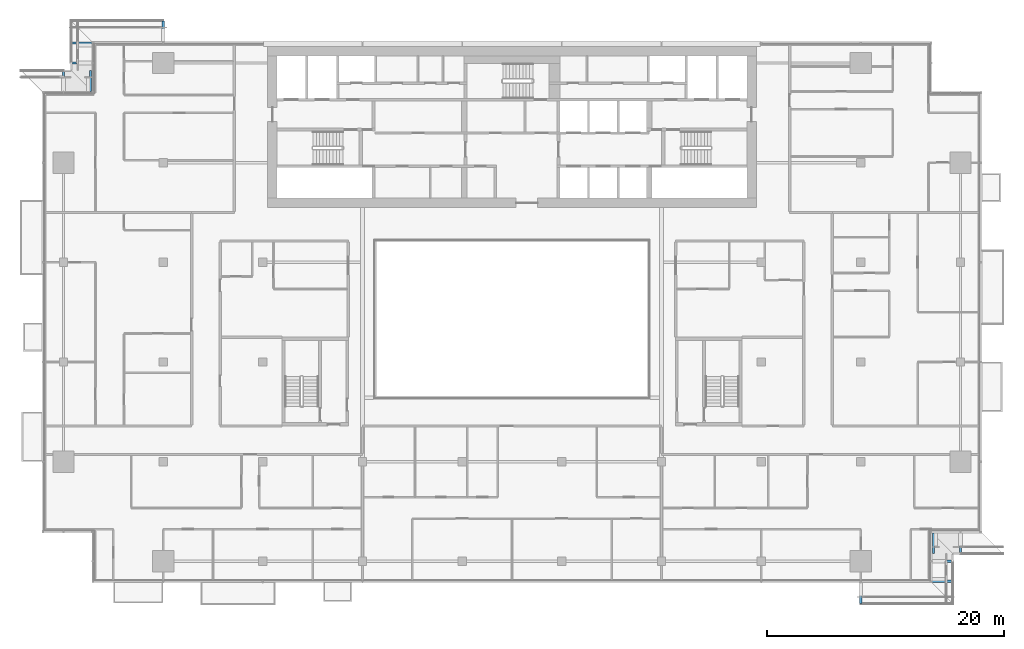
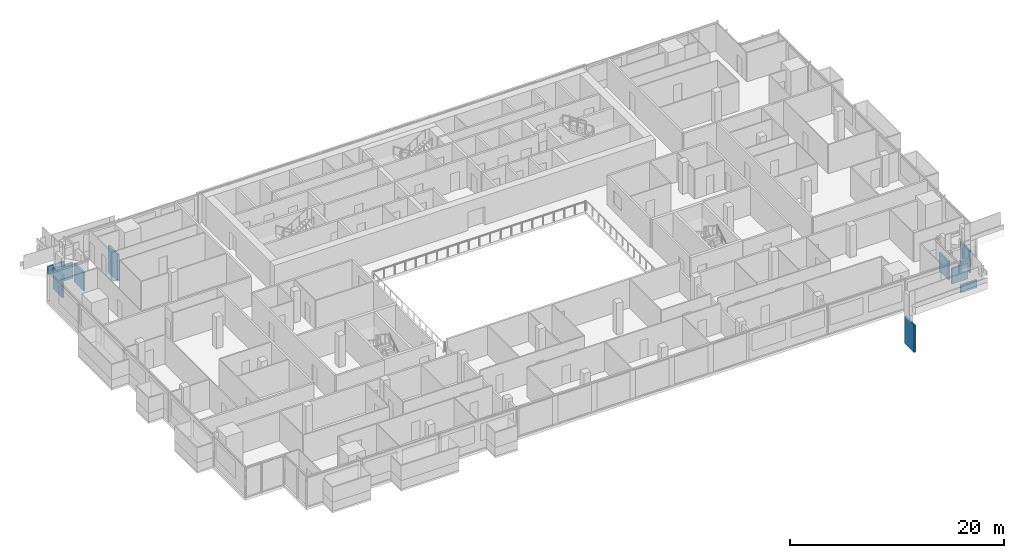
# One storey, part 25 of 30: 10 discrete accessories.
"""IFC4 building model written with IfcOpenShell, lengths in metres."""

from ifc_helpers import new_model, si_unit, direction, frame, origin, origin_2d, place, context, subcontext, project, spatial, rectangle, extrude, element, save


model = new_model("IFC4")

# Units and contexts
model_context = context("Model", 3, precision=1e-05, world=origin(), true_north=direction((0.0, 1.0)))
body_context = subcontext(model_context, "Body", "Model", "MODEL_VIEW")
ifc_project = project(units=[si_unit("LENGTHUNIT", "METRE"), si_unit("AREAUNIT", "SQUARE_METRE"), si_unit("VOLUMEUNIT", "CUBIC_METRE"), si_unit("PLANEANGLEUNIT", "RADIAN"), si_unit("MASSUNIT", "GRAM", prefix="KILO")], contexts=[model_context])

# Site, building, storey
site_placement = place(None, origin())
site = spatial("IfcSite", under=ifc_project, at=site_placement, CompositionType="ELEMENT")
building_placement = place(site_placement, origin())
building = spatial("IfcBuilding", under=site, at=building_placement, Name="Saffron Gate Tower", CompositionType="ELEMENT")
storey_placement = place(building_placement, frame((0.0, 0.0, 158.25)))
storey = spatial("IfcBuildingStorey", under=building, at=storey_placement, Name="L38", CompositionType="ELEMENT", Elevation=158.25)

# Discrete accessories
discrete_accessory_1_placement = place(storey_placement, frame((117.0, 29.125, -3.8798828125), z_axis=(0.0, 0.0, 1.0), x_axis=(1.0, 0.0, 0.0)))
element("IfcDiscreteAccessory", 1, at=discrete_accessory_1_placement, inside=storey, Name="LEDGE rib", PredefinedType="BRACKET", context=body_context, shape_type="SweptSolid", body=[
    extrude(rectangle(XDim=0.199951171875, YDim=1.75, at=origin_2d()), origin(), (0.0, 0.0, 1.0), 3.106201171875),
])
discrete_accessory_2_placement = place(storey_placement, frame((123.875, 30.1201171875, -0.280029296875), z_axis=(0.0, 0.0, 1.0), x_axis=(0.0, 1.0, 0.0)))
element("IfcDiscreteAccessory", 2, at=discrete_accessory_2_placement, inside=storey, Name="LEDGE rib", PredefinedType="BRACKET", context=body_context, shape_type="SweptSolid", body=[
    extrude(rectangle(XDim=0.199951171875, YDim=1.75, at=origin_2d()), origin(), (0.0, 0.0, 1.0), 0.87939453125),
])
discrete_accessory_3_placement = place(storey_placement, frame((123.875, 31.800048828125, -0.280029296875), z_axis=(0.0, 0.0, 1.0), x_axis=(0.0, 1.0, 0.0)))
element("IfcDiscreteAccessory", 3, at=discrete_accessory_3_placement, inside=storey, Name="LEDGE rib", PredefinedType="BRACKET", context=body_context, shape_type="SweptSolid", body=[
    extrude(rectangle(XDim=0.199951171875, YDim=1.75, at=origin_2d()), origin(), (0.0, 0.0, 1.0), 1.78857421875),
])
discrete_accessory_4_placement = place(storey_placement, frame((123.1201171875, 33.324951171875, -0.27978515625), z_axis=(0.0, 0.0, 1.0), x_axis=(1.0, 0.0, 0.0)))
element("IfcDiscreteAccessory", 4, at=discrete_accessory_4_placement, inside=storey, Name="LEDGE rib", PredefinedType="BRACKET", context=body_context, shape_type="SweptSolid", body=[
    extrude(rectangle(XDim=0.199951171875, YDim=1.75, at=origin_2d()), origin(), (0.0, 0.0, 1.0), 2.114990234375),
])
discrete_accessory_5_placement = place(storey_placement, frame((125.39990234375, 33.324951171875, -0.27978515625), z_axis=(0.0, 0.0, 1.0), x_axis=(1.0, 0.0, 0.0)))
element("IfcDiscreteAccessory", 5, at=discrete_accessory_5_placement, inside=storey, Name="LEDGE rib", PredefinedType="BRACKET", context=body_context, shape_type="SweptSolid", body=[
    extrude(rectangle(XDim=0.199951171875, YDim=1.75, at=origin_2d()), origin(), (0.0, 0.0, 1.0), 2.527099609375),
])
discrete_accessory_6_placement = place(storey_placement, frame((58.199951171875, 76.47509765625, -3.8798828125), z_axis=(0.0, 0.0, 1.0), x_axis=(-1.0, 0.0, 0.0)))
element("IfcDiscreteAccessory", 6, at=discrete_accessory_6_placement, inside=storey, Name="LEDGE rib", PredefinedType="BRACKET", context=body_context, shape_type="SweptSolid", body=[
    extrude(rectangle(XDim=0.199951171875, YDim=1.75, at=origin_2d()), origin(), (0.0, 0.0, 1.0), 3.106201171875),
])
discrete_accessory_7_placement = place(storey_placement, frame((51.324951171875, 75.47998046875, -0.280029296875), z_axis=(0.0, 0.0, 1.0), x_axis=(0.0, -1.0, 0.0)))
element("IfcDiscreteAccessory", 7, at=discrete_accessory_7_placement, inside=storey, Name="LEDGE rib", PredefinedType="BRACKET", context=body_context, shape_type="SweptSolid", body=[
    extrude(rectangle(XDim=0.199951171875, YDim=1.75, at=origin_2d()), origin(), (0.0, 0.0, 1.0), 0.87939453125),
])
discrete_accessory_8_placement = place(storey_placement, frame((51.324951171875, 73.800048828125, -0.280029296875), z_axis=(0.0, 0.0, 1.0), x_axis=(0.0, -1.0, 0.0)))
element("IfcDiscreteAccessory", 8, at=discrete_accessory_8_placement, inside=storey, Name="LEDGE rib", PredefinedType="BRACKET", context=body_context, shape_type="SweptSolid", body=[
    extrude(rectangle(XDim=0.199951171875, YDim=1.75, at=origin_2d()), origin(), (0.0, 0.0, 1.0), 1.78857421875),
])
discrete_accessory_9_placement = place(storey_placement, frame((52.080078125, 72.27490234375, -0.27978515625), z_axis=(0.0, 0.0, 1.0), x_axis=(-1.0, 0.0, 0.0)))
element("IfcDiscreteAccessory", 9, at=discrete_accessory_9_placement, inside=storey, Name="LEDGE rib", PredefinedType="BRACKET", context=body_context, shape_type="SweptSolid", body=[
    extrude(rectangle(XDim=0.199951171875, YDim=1.75, at=origin_2d()), origin(), (0.0, 0.0, 1.0), 2.114990234375),
])
discrete_accessory_10_placement = place(storey_placement, frame((49.800048828125, 72.27490234375, -0.27978515625), z_axis=(0.0, 0.0, 1.0), x_axis=(-1.0, 0.0, 0.0)))
element("IfcDiscreteAccessory", 10, at=discrete_accessory_10_placement, inside=storey, Name="LEDGE rib", PredefinedType="BRACKET", context=body_context, shape_type="SweptSolid", body=[
    extrude(rectangle(XDim=0.199951171875, YDim=1.75, at=origin_2d()), origin(), (0.0, 0.0, 1.0), 2.527099609375),
])

save(model, "model.ifc")
